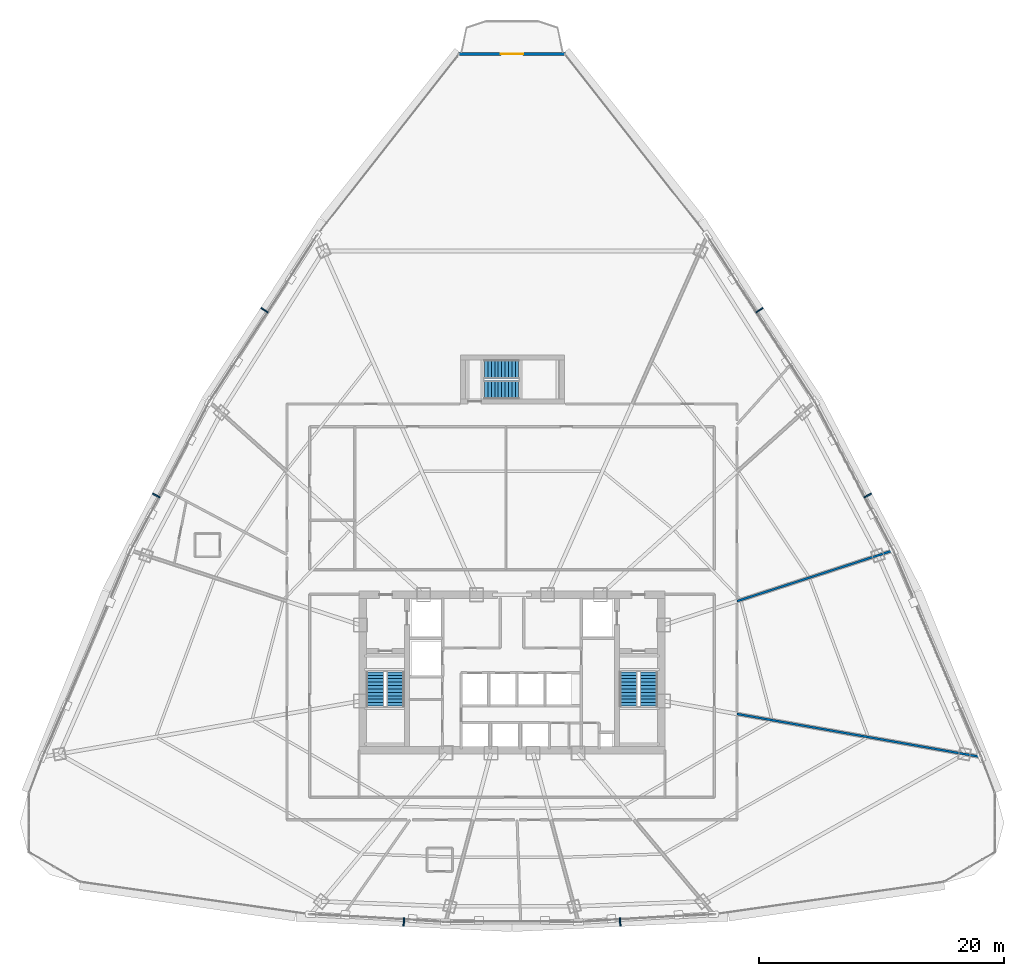
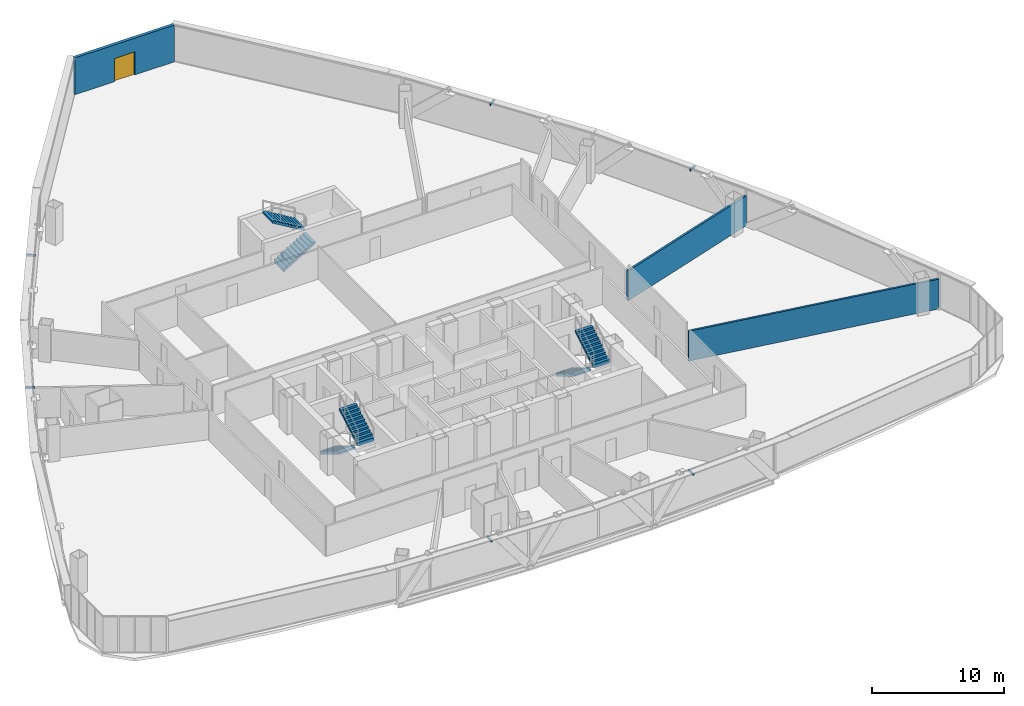
# One storey, part 36 of 40: 6 discrete accessories, 6 stair flights, 3 walls, 1 door, 1 opening, 3 elements without a shape of their own.
"""IFC4 building model written with IfcOpenShell, lengths in metres."""

from ifc_helpers import new_model, si_unit, direction, frame, frame_2d, origin, origin_with_axes, origin_2d, place, context, subcontext, project, spatial, polyline, rectangle, outline, extrude, source, transform, mapped, material, layer, layer_set, type_object, element, fill, aggregate, save


model = new_model("IFC4")

# Units and contexts
model_context = context("Model", 3, precision=1e-05, world=origin(), true_north=direction((0.0, 1.0)))
body_context = subcontext(model_context, "Body", "Model", "MODEL_VIEW")
ifc_project = project(units=[si_unit("LENGTHUNIT", "METRE"), si_unit("AREAUNIT", "SQUARE_METRE"), si_unit("VOLUMEUNIT", "CUBIC_METRE"), si_unit("PLANEANGLEUNIT", "RADIAN"), si_unit("MASSUNIT", "GRAM", prefix="KILO"), si_unit("THERMODYNAMICTEMPERATUREUNIT", "KELVIN"), si_unit("POWERUNIT", "WATT")], contexts=[model_context])

# Site, building, storey
site_placement = place(None, origin())
site = spatial("IfcSite", under=ifc_project, at=site_placement, CompositionType="ELEMENT")
building_placement = place(site_placement, origin())
building = spatial("IfcBuilding", under=site, at=building_placement, Name="Yunzhuo Pagoda Commons", CompositionType="ELEMENT")
storey_placement = place(building_placement, frame((0.0, 0.0, 159.27001953125)))
storey = spatial("IfcBuildingStorey", under=building, at=storey_placement, Name="L40", CompositionType="ELEMENT", Elevation=159.27001953125)

# Wall, opening, door
ifc_material_1 = material(Name="Precast concrete C40", Category="concrete")
ifc_layer_1 = layer(ifc_material_1, 0.260009765625)
ifc_layer_set_1 = layer_set([ifc_layer_1], Name="Precast concrete C40")
wall_type_1 = type_object("IfcWallType", Name="W-BAL1 Corner Balcony Threshold Wall 260", PredefinedType="STANDARD", material=ifc_layer_set_1)
wall_1_placement = place(storey_placement, frame((52.370849609375, 84.4130859375, 0.0), z_axis=(0.0, 0.0, 1.0), x_axis=(-1.0, 0.0, 0.0)))
wall_1 = element("IfcWall", 1, at=wall_1_placement, inside=storey, type_object=wall_type_1, Name="L40 corner balcony wall V3", PredefinedType="STANDARD", context=body_context, shape_type="SweptSolid", body=[
    extrude(rectangle(XDim=8.74169921875, YDim=0.260009765625, at=frame_2d((4.370849609375, 0.0))), origin(), (0.0, 0.0, 1.0), 3.419921875),
])
opening_placement = place(wall_1_placement, frame((3.470703125, 0.0, 0.0)))
opening = element("IfcOpeningElement", 2, at=opening_placement, cuts=wall_1, Name="Opening D-BAL1", PredefinedType="OPENING", context=body_context, shape_type="SweptSolid", body=[
    extrude(rectangle(XDim=1.800048828125, YDim=2.14990234375, at=frame_2d((0.89990234375, 1.074951171875))), frame((0.0, 0.14013671875, 0.0), z_axis=(0.0, -1.0, 0.0), x_axis=(1.0, 0.0, 0.0)), (0.0, 0.0, 1.0), 0.280029296875),
])
ifc_material_2 = material(Name="Anodized aluminium frame and tempered glazed leaf", Category="aluminium")
door_type = type_object("IfcDoorType", Name="D-BAL1 Corner Balcony Sliding Glazed Door 1800x2150", OperationType="DOUBLE_DOOR_SLIDING", PredefinedType="DOOR", material=ifc_material_2)
shared_shape_1 = source(origin(), body_context, "Body", "SweptSolid", [
    extrude(rectangle(XDim=1.800048828125, YDim=2.14990234375, at=frame_2d((0.89990234375, 1.074951171875))), frame((0.0, 0.02490234375, 0.0), z_axis=(0.0, -1.0, 0.0), x_axis=(1.0, 0.0, 0.0)), (0.0, 0.0, 1.0), 0.050048828125),
])
door_placement = place(opening_placement, origin_with_axes())
door = element("IfcDoor", 3, at=door_placement, inside=storey, type_object=door_type, Name="L40 corner balcony sliding door V3", OperationType="DOUBLE_DOOR_SLIDING", OverallHeight=2.14990234375, OverallWidth=1.800048828125, PredefinedType="DOOR", context=body_context, shape_type="MappedRepresentation", body=[
    mapped(shared_shape_1, transform((0.0, 0.0, 0.0), scale=1.0)),
])
fill(opening, door)

# Walls
ifc_material_3 = material(Name="Gypsum plasterboard on acoustic stud")
ifc_layer_2 = layer(ifc_material_3, 0.175048828125)
ifc_layer_set_2 = layer_set([ifc_layer_2], Name="Gypsum plasterboard on acoustic stud")
wall_type_2 = type_object("IfcWallType", Name="W-PRT3 Mid-Zone Demising Wall 175", PredefinedType="PARTITIONING", material=ifc_layer_set_2)
wall_2_placement = place(storey_placement, frame((66.39990234375, 39.678466796875, 0.0), z_axis=(0.0, 0.0, 1.0), x_axis=(0.951059027278, 0.309009266259, 0.0)))
element("IfcWall", 4, at=wall_2_placement, inside=storey, type_object=wall_type_2, Name="L40 interior wall IW-L40-RAD01", PredefinedType="PARTITIONING", context=body_context, shape_type="SweptSolid", body=[
    extrude(rectangle(XDim=13.440673828125, YDim=0.175048828125, at=frame_2d((6.72021484375, 0.0))), origin(), (0.0, 0.0, 1.0), 2.77001953125),
])
wall_3_placement = place(storey_placement, frame((66.39990234375, 30.45556640625, 0.0), z_axis=(0.0, 0.0, 1.0), x_axis=(0.98480815319, -0.173645908133, 0.0)))
element("IfcWall", 5, at=wall_3_placement, inside=storey, type_object=wall_type_2, Name="L40 interior wall IW-L40-RAD13", PredefinedType="PARTITIONING", context=body_context, shape_type="SweptSolid", body=[
    extrude(rectangle(XDim=20.2783203125, YDim=0.175048828125, at=frame_2d((10.13916015625, 0.0))), origin(), (0.0, 0.0, 1.0), 2.77001953125),
])

# Stair, stair flights
ifc_material_4 = material(Name="Concrete C40", Category="concrete")
stair_type_1 = type_object("IfcStairType", Name="ST-C1 Core Smokeproof Stair ST1", PredefinedType="HALF_TURN_STAIR", material=ifc_material_4)
stair_1_placement = place(storey_placement, origin())
stair_1 = element("IfcStair", 6, at=stair_1_placement, inside=storey, type_object=stair_type_1, Name="L40 Core smokeproof stair ST1", PredefinedType="HALF_TURN_STAIR")
stair_flight_type_1 = type_object("IfcStairFlightType", Name="STF-C1 Core Stair Flight 1450", PredefinedType="STRAIGHT", material=ifc_material_4)
shared_shape_2 = source(origin(), body_context, "Body", "SweptSolid", [
    extrude(outline(polyline([(0.0, -0.14990234375), (0.0, 0.0), (0.0, 0.167236328125), (0.280029296875, 0.167236328125), (0.280029296875, 0.33447265625), (0.56005859375, 0.33447265625), (0.56005859375, 0.501708984375), (0.840087890625, 0.501708984375), (0.840087890625, 0.669189453125), (1.1201171875, 0.669189453125), (1.1201171875, 0.83642578125), (1.39990234375, 0.83642578125), (1.39990234375, 1.003662109375), (1.679931640625, 1.003662109375), (1.679931640625, 1.1708984375), (1.9599609375, 1.1708984375), (1.9599609375, 1.338134765625), (2.239990234375, 1.338134765625), (2.239990234375, 1.50537109375), (2.52001953125, 1.50537109375), (2.52001953125, 1.672607421875), (2.800048828125, 1.672607421875), (2.800048828125, 1.840087890625), (2.800048828125, 1.498046875), (0.292236328125, 0.0), (0.050048828125, -0.14990234375), (0.0, -0.14990234375)])), frame((0.0, 0.72509765625, 0.0), z_axis=(0.0, -1.0, 0.0), x_axis=(1.0, 0.0, 0.0)), (0.0, 0.0, 1.0), 1.449951171875),
])
stair_flight_1_placement = place(storey_placement, frame((36.824951171875, 33.89990234375, 0.0), z_axis=(0.0, 0.0, 1.0), x_axis=(0.0, -1.0, 0.0)))
stair_flight_1 = element("IfcStairFlight", 7, at=stair_flight_1_placement, type_object=stair_flight_type_1, Name="ST1 flight 1", NumberOfRisers=11, NumberOfTreads=10, PredefinedType="STRAIGHT", RiserHeight=0.167272727, TreadLength=0.28, context=body_context, shape_type="MappedRepresentation", body=[
    mapped(shared_shape_2, transform((0.0, 0.0, 0.0), scale=1.0)),
])
stair_flight_2_placement = place(storey_placement, frame((38.47509765625, 31.10009765625, 1.840087890625), z_axis=(0.0, 0.0, 1.0), x_axis=(0.0, 1.0, 0.0)))
stair_flight_2 = element("IfcStairFlight", 8, at=stair_flight_2_placement, type_object=stair_flight_type_1, Name="ST1 flight 2", NumberOfRisers=11, NumberOfTreads=10, PredefinedType="STRAIGHT", RiserHeight=0.167272727, TreadLength=0.28, context=body_context, shape_type="MappedRepresentation", body=[
    mapped(shared_shape_2, transform((0.0, 0.0, 0.0), scale=1.0)),
])
aggregate(stair_1, [stair_flight_1, stair_flight_2])

stair_type_2 = type_object("IfcStairType", Name="ST-C2 Core Smokeproof Stair ST2", PredefinedType="HALF_TURN_STAIR", material=ifc_material_4)
stair_2_placement = place(storey_placement, origin())
stair_2 = element("IfcStair", 9, at=stair_2_placement, inside=storey, type_object=stair_type_2, Name="L40 Core smokeproof stair ST2", PredefinedType="HALF_TURN_STAIR")
stair_flight_type_2 = type_object("IfcStairFlightType", Name="STF-C2 Core Stair Flight 1460", PredefinedType="STRAIGHT", material=ifc_material_4)
stair_flight_3_placement = place(storey_placement, frame((57.52490234375, 33.89990234375, 0.0), z_axis=(0.0, 0.0, 1.0), x_axis=(0.0, -1.0, 0.0)))
stair_flight_3 = element("IfcStairFlight", 10, at=stair_flight_3_placement, type_object=stair_flight_type_2, Name="ST2 flight 1", NumberOfRisers=11, NumberOfTreads=10, PredefinedType="STRAIGHT", RiserHeight=0.167272727, TreadLength=0.28, context=body_context, shape_type="MappedRepresentation", body=[
    mapped(shared_shape_2, transform((0.0, 0.0, 0.0), scale=1.0)),
])
stair_flight_4_placement = place(storey_placement, frame((59.175048828125, 31.10009765625, 1.840087890625), z_axis=(0.0, 0.0, 1.0), x_axis=(0.0, 1.0, 0.0)))
stair_flight_4 = element("IfcStairFlight", 11, at=stair_flight_4_placement, type_object=stair_flight_type_2, Name="ST2 flight 2", NumberOfRisers=11, NumberOfTreads=10, PredefinedType="STRAIGHT", RiserHeight=0.167272727, TreadLength=0.28, context=body_context, shape_type="MappedRepresentation", body=[
    mapped(shared_shape_2, transform((0.0, 0.0, 0.0), scale=1.0)),
])
aggregate(stair_2, [stair_flight_3, stair_flight_4])

stair_type_3 = type_object("IfcStairType", Name="ST-C3 North Tower Smokeproof Stair ST3", PredefinedType="HALF_TURN_STAIR", material=ifc_material_4)
stair_3_placement = place(storey_placement, origin())
stair_3 = element("IfcStair", 12, at=stair_3_placement, inside=storey, type_object=stair_type_3, Name="L40 North tower smokeproof stair ST3", PredefinedType="HALF_TURN_STAIR")
stair_flight_type_3 = type_object("IfcStairFlightType", Name="STF-C3 North Stair Flight 1500", PredefinedType="STRAIGHT", material=ifc_material_4)
shared_shape_3 = source(origin(), body_context, "Body", "SweptSolid", [
    extrude(outline(polyline([(0.0, -0.14990234375), (0.0, 0.0), (0.0, 0.167236328125), (0.280029296875, 0.167236328125), (0.280029296875, 0.33447265625), (0.56005859375, 0.33447265625), (0.56005859375, 0.501708984375), (0.840087890625, 0.501708984375), (0.840087890625, 0.669189453125), (1.1201171875, 0.669189453125), (1.1201171875, 0.83642578125), (1.39990234375, 0.83642578125), (1.39990234375, 1.003662109375), (1.679931640625, 1.003662109375), (1.679931640625, 1.1708984375), (1.9599609375, 1.1708984375), (1.9599609375, 1.338134765625), (2.239990234375, 1.338134765625), (2.239990234375, 1.50537109375), (2.52001953125, 1.50537109375), (2.52001953125, 1.672607421875), (2.800048828125, 1.672607421875), (2.800048828125, 1.840087890625), (2.800048828125, 1.498046875), (0.292236328125, 0.0), (0.050048828125, -0.14990234375), (0.0, -0.14990234375)])), frame((0.0, 0.75, 0.0), z_axis=(0.0, -1.0, 0.0), x_axis=(1.0, 0.0, 0.0)), (0.0, 0.0, 1.0), 1.5),
])
stair_flight_5_placement = place(storey_placement, frame((45.75, 56.949951171875, 0.0), z_axis=(0.0, 0.0, 1.0), x_axis=(1.0, 0.0, 0.0)))
stair_flight_5 = element("IfcStairFlight", 13, at=stair_flight_5_placement, type_object=stair_flight_type_3, Name="ST3 flight 1", NumberOfRisers=11, NumberOfTreads=10, PredefinedType="STRAIGHT", RiserHeight=0.167272727, TreadLength=0.28, context=body_context, shape_type="MappedRepresentation", body=[
    mapped(shared_shape_3, transform((0.0, 0.0, 0.0), scale=1.0)),
])
stair_flight_6_placement = place(storey_placement, frame((48.550048828125, 58.64990234375, 1.840087890625), z_axis=(0.0, 0.0, 1.0), x_axis=(-1.0, 0.0, 0.0)))
stair_flight_6 = element("IfcStairFlight", 14, at=stair_flight_6_placement, type_object=stair_flight_type_3, Name="ST3 flight 2", NumberOfRisers=11, NumberOfTreads=10, PredefinedType="STRAIGHT", RiserHeight=0.167272727, TreadLength=0.28, context=body_context, shape_type="MappedRepresentation", body=[
    mapped(shared_shape_3, transform((0.0, 0.0, 0.0), scale=1.0)),
])
aggregate(stair_3, [stair_flight_5, stair_flight_6])

# Discrete accessories
ifc_material_5 = material(Name="Anodized aluminium 6063-T6", Category="aluminium")
discrete_accessory_type = type_object("IfcDiscreteAccessoryType", Name="BK-SUN1 Sunshade Outrigger Bracket", PredefinedType="BRACKET", material=ifc_material_5)
shared_shape_4 = source(origin(), body_context, "Body", "SweptSolid", [
    extrude(rectangle(XDim=0.1201171875, YDim=0.679931640625, at=origin_2d()), origin(), (0.0, 0.0, 1.0), 0.179931640625),
])
for number, where, z_axis, x_axis, name in (
    (15, (39.15576171875, 13.44482421875, 3.2099609375), (0.0, 0.0, 1.0), (0.998818043775, -0.04860571396, 0.0), "L40 sunshade outrigger bracket F1.2"),
    (16, (56.84423828125, 13.44482421875, 3.2099609375), (0.0, 0.0, 1.0), (0.998818043775, 0.04860571396, 0.0), "L40 sunshade outrigger bracket F1.3"),
    (17, (77.08349609375, 48.316162109375, 3.2099609375), (0.0, 0.0, 1.0), (-0.461206683033, 0.88729273384, 0.0), "L40 sunshade outrigger bracket F2.2"),
    (18, (68.239013671875, 63.467529296875, 3.2099609375), (0.0, 0.0, 1.0), (-0.545838756973, 0.837890238269, 0.0), "L40 sunshade outrigger bracket F2.3"),
    (19, (27.760986328125, 63.467529296875, 3.2099609375), (0.0, 0.0, 1.0), (-0.545838756973, -0.837890238269, 0.0), "L40 sunshade outrigger bracket F3.2"),
    (20, (18.91650390625, 48.316162109375, 3.2099609375), (0.0, 0.0, 1.0), (-0.461206683033, -0.88729273384, 0.0), "L40 sunshade outrigger bracket F3.3"),
):
    element("IfcDiscreteAccessory", number, at=place(storey_placement, frame(where, z_axis=z_axis, x_axis=x_axis)), inside=storey, type_object=discrete_accessory_type, Name=name, PredefinedType="BRACKET", context=body_context, shape_type="MappedRepresentation", body=[
        mapped(shared_shape_4, transform((0.0, 0.0, 0.0), scale=1.0)),
    ])

save(model, "model.ifc")
